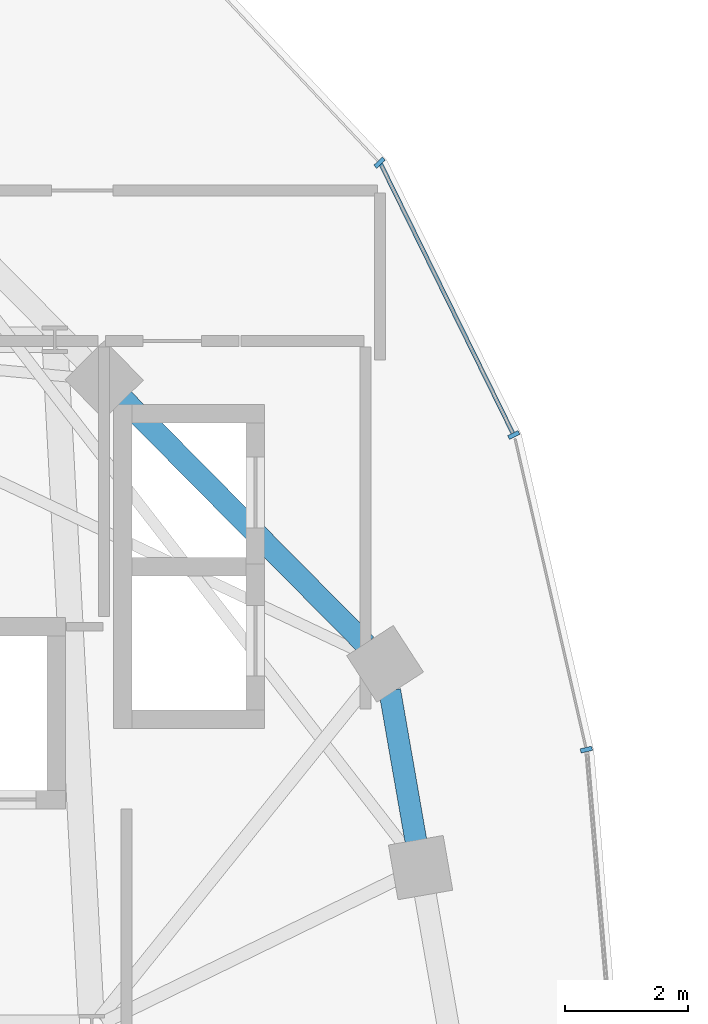
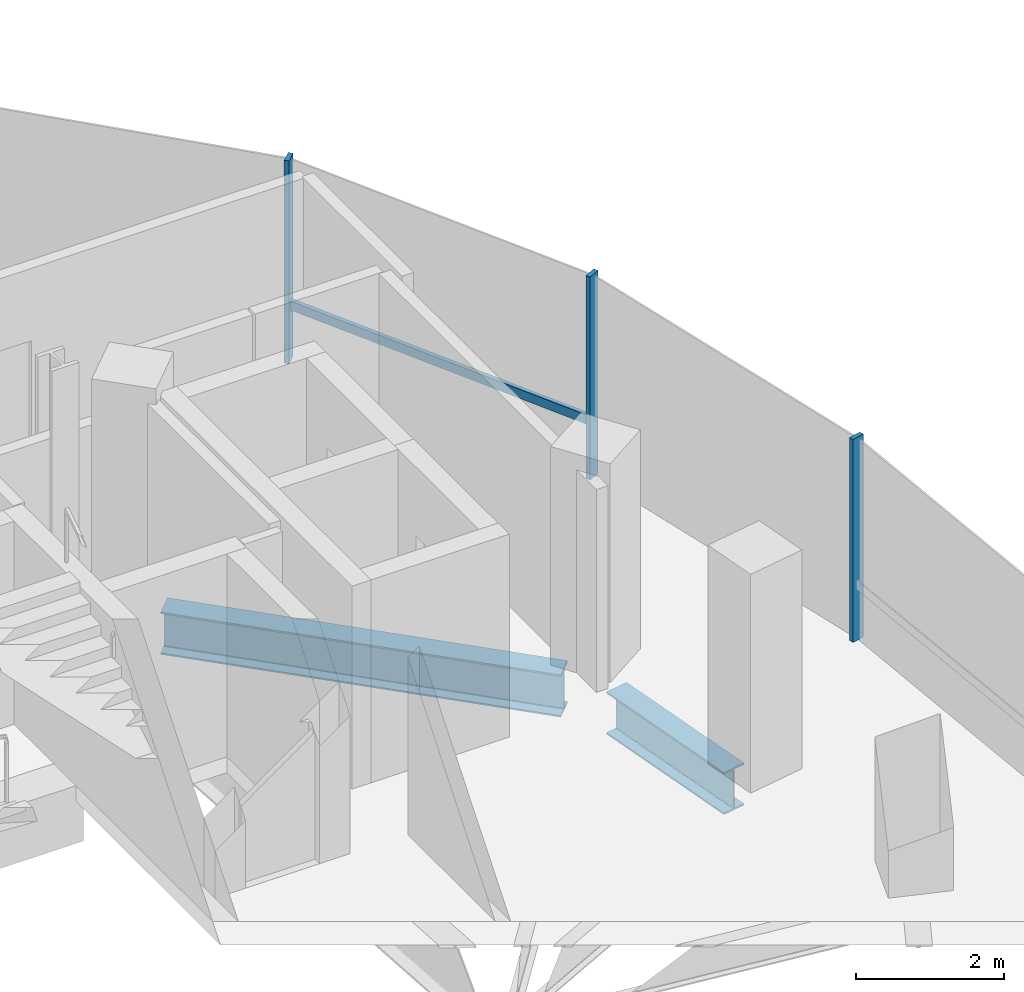
# One storey, part 7 of 25: 4 members, 2 beams, 1 element without a shape of its own.
"""IFC4 building model written with IfcOpenShell, lengths in metres."""

import ifcopenshell
import ifcopenshell.guid

model = None  # the IFC model being written
_history = None  # IfcOwnerHistory: only IFC2X3 demands one
_inside = {}  # id of a spatial element -> (the spatial element, [elements in it])
_under = {}  # id of a project, library or spatial element -> (it, [spatial elements below it])
_declared = {}  # id of a project -> (the project, [libraries it declares])
_typed = {}  # id of a type object -> (the type object, [elements of that type])
_made_of = {}  # id of a material, layer set ... -> (it, [elements and type objects made of it])


def new_model(schema):
    """Start an empty IFC model of exactly this schema.

    Asked for "IFC4X3", IfcOpenShell would pick the latest addendum, in which some entities
    have other attributes; the version numbers below select the first issue.
    IFC2X3 requires an IfcOwnerHistory on every rooted entity: one is made here for all.
    """
    global model, _history
    if schema == "IFC4X3":
        model = ifcopenshell.file(schema_version=(4, 3, 0, 0))
    else:
        model = ifcopenshell.file(schema=schema)
    _inside.clear()
    _under.clear()
    _declared.clear()
    _typed.clear()
    _made_of.clear()
    _history = None
    if model.schema == "IFC2X3":
        org = make("IfcOrganization", Name="unknown")
        user = make(
            "IfcPersonAndOrganization",
            ThePerson=make("IfcPerson", FamilyName="unknown"),
            TheOrganization=org,
        )
        app = make(
            "IfcApplication",
            ApplicationDeveloper=org,
            Version="unknown",
            ApplicationFullName="unknown",
            ApplicationIdentifier="unknown",
        )
        _history = make(
            "IfcOwnerHistory",
            OwningUser=user,
            OwningApplication=app,
            ChangeAction="ADDED",
            CreationDate=0,
        )
    return model


def make(cls, **values):
    """One entity of the class cls with the attributes given. An attribute that is None is left unset."""
    return model.create_entity(
        cls, **{name: value for name, value in values.items() if value is not None}
    )


def rooted(cls, **values):
    """An entity with a GlobalId (a new one), such as an element, a storey or a relation."""
    return make(cls, GlobalId=ifcopenshell.guid.new(), OwnerHistory=_history, **values)


def si_unit(unit_type, name, prefix=None):
    """IfcSIUnit, for example si_unit("LENGTHUNIT", "METRE", prefix="MILLI")."""
    return make("IfcSIUnit", UnitType=unit_type, Prefix=prefix, Name=name)


def assignment(units):
    """IfcUnitAssignment: the units of a project."""
    return None if units is None else make("IfcUnitAssignment", Units=units)


def point(xyz):
    """IfcCartesianPoint."""
    return None if xyz is None else make("IfcCartesianPoint", Coordinates=xyz)


def direction(xyz):
    """IfcDirection."""
    return None if xyz is None else make("IfcDirection", DirectionRatios=xyz)


def frame(location, z_axis=None, x_axis=None):
    """IfcAxis2Placement3D, a coordinate frame: its origin and axes. An axis left out is left unset."""
    return make(
        "IfcAxis2Placement3D",
        Location=point(location),
        Axis=direction(z_axis),
        RefDirection=direction(x_axis),
    )


def frame_2d(location, x_axis=None):
    """IfcAxis2Placement2D, a coordinate frame in the plane: its origin and x axis."""
    return make(
        "IfcAxis2Placement2D", Location=point(location), RefDirection=direction(x_axis)
    )


def origin():
    """The frame at (0, 0, 0) with its axes left unset."""
    return frame((0.0, 0.0, 0.0))


def origin_2d():
    """The frame at (0, 0) in the plane with its x axis left unset."""
    return frame_2d((0.0, 0.0))


def place(relative_to, where):
    """IfcLocalPlacement: puts the frame where relative to a parent placement (None: the world)."""
    return make(
        "IfcLocalPlacement", PlacementRelTo=relative_to, RelativePlacement=where
    )


def context(
    kind, dimensions, precision=None, world=None, true_north=None, identifier=None
):
    """IfcGeometricRepresentationContext, for example the 3D "Model" context."""
    return make(
        "IfcGeometricRepresentationContext",
        ContextIdentifier=identifier,
        ContextType=kind,
        CoordinateSpaceDimension=dimensions,
        Precision=precision,
        WorldCoordinateSystem=world,
        TrueNorth=true_north,
    )


def subcontext(parent, identifier, kind, view, scale=None):
    """IfcGeometricRepresentationSubContext, for example "Body" below "Model"."""
    return make(
        "IfcGeometricRepresentationSubContext",
        ContextIdentifier=identifier,
        ContextType=kind,
        ParentContext=parent,
        TargetScale=scale,
        TargetView=view,
    )


def project(units=None, contexts=None):
    """IfcProject with its units and contexts."""
    return rooted(
        "IfcProject",
        Name="project",
        RepresentationContexts=contexts,
        UnitsInContext=assignment(units),
    )


def spatial(cls, under=None, at=None, **own):
    """A site, building, storey or space (cls), placed at a placement, below another one or the project."""
    s = rooted(cls, ObjectPlacement=at, **own)
    if under is not None:
        _under.setdefault(under.id(), (under, []))[1].append(s)
    return s


def profile(cls, at=None, kind="AREA", **sizes):
    """A parametric profile (cls). Its sizes go by their IFC names, for example OverallWidth=200.0."""
    return make(cls, ProfileType=kind, Position=at, **sizes)


def rectangle(**sizes):
    """IfcRectangleProfileDef."""
    return profile("IfcRectangleProfileDef", **sizes)


def i_section(**sizes):
    """IfcIShapeProfileDef."""
    return profile("IfcIShapeProfileDef", **sizes)


def extrude(swept, where, along, depth):
    """IfcExtrudedAreaSolid: the profile swept, set in the frame where, extruded along a direction by depth."""
    return make(
        "IfcExtrudedAreaSolid",
        SweptArea=swept,
        Position=where,
        ExtrudedDirection=direction(along),
        Depth=depth,
    )


def shape(context_of_items, identifier, shape_type, items):
    """IfcShapeRepresentation: the items that make up one representation, for example the "Body"."""
    return make(
        "IfcShapeRepresentation",
        ContextOfItems=context_of_items,
        RepresentationIdentifier=identifier,
        RepresentationType=shape_type,
        Items=items,
    )


def material(Name=None, Category=None):
    """IfcMaterial."""
    return make("IfcMaterial", Name=Name, Category=Category)


def material_profile(
    of_material, cross_section, Name=None, Category=None, Priority=None
):
    """IfcMaterialProfile: a cross section and its material."""
    return make(
        "IfcMaterialProfile",
        Name=Name,
        Material=of_material,
        Profile=cross_section,
        Priority=Priority,
        Category=Category,
    )


def profile_set(profiles, Name=None, composite=None):
    """IfcMaterialProfileSet."""
    return make(
        "IfcMaterialProfileSet",
        Name=Name,
        MaterialProfiles=profiles,
        CompositeProfile=composite,
    )


def made_of(thing, what):
    """Note that an element or type object is made of a material, layer set ...; save() writes the relation."""
    if what is not None:
        _made_of.setdefault(what.id(), (what, []))[1].append(thing)
    return thing


def type_object(cls, material=None, **own):
    """A type object (cls), such as IfcWallType, which elements share."""
    return made_of(rooted(cls, **own), material)


def element(
    cls,
    number,
    at=None,
    inside=None,
    cuts=None,
    type_object=None,
    material=None,
    context=None,
    identifier="Body",
    shape_type=None,
    held_by="IfcProductDefinitionShape",
    body=None,
    shapes=None,
    **own,
):
    """One element of the class cls, such as IfcWall. Its Tag is "e" and its number.

    at: its placement. inside: the storey or other place that contains it. cuts: it is an
    opening in that element (IfcRelVoidsElement). A single representation is given by context,
    identifier, shape_type and body (its items); several are given by shapes. held_by: the class
    of the entity that holds the representations. save() writes the other relations.
    """
    e = rooted(cls, Tag="e%d" % number, ObjectPlacement=at, **own)
    if body is not None:
        shapes = [shape(context, identifier, shape_type, body)]
    if shapes is not None:
        e.Representation = make(held_by, Representations=shapes)
    if inside is not None:
        _inside.setdefault(inside.id(), (inside, []))[1].append(e)
    if cuts is not None:
        rooted(
            "IfcRelVoidsElement", RelatingBuildingElement=cuts, RelatedOpeningElement=e
        )
    if type_object is not None:
        _typed.setdefault(type_object.id(), (type_object, []))[1].append(e)
    return made_of(e, material)


def aggregate(whole, parts):
    """IfcRelAggregates: a whole, such as a stair, and the parts it consists of."""
    return rooted("IfcRelAggregates", RelatingObject=whole, RelatedObjects=parts)


def save(model, path):
    """Write the relations noted so far, then the file.

    IfcRelAggregates (storeys below a building ...), IfcRelContainedInSpatialStructure (elements
    in a storey), IfcRelDefinesByType, IfcRelAssociatesMaterial and IfcRelDeclares: one each for
    every whole, place, type object, material and project.
    """
    for whole, parts in _under.values():
        aggregate(whole, parts)
    for where, things in _inside.values():
        rooted(
            "IfcRelContainedInSpatialStructure",
            RelatedElements=things,
            RelatingStructure=where,
        )
    for kind, things in _typed.values():
        rooted("IfcRelDefinesByType", RelatedObjects=things, RelatingType=kind)
    for what, things in _made_of.values():
        rooted("IfcRelAssociatesMaterial", RelatedObjects=things, RelatingMaterial=what)
    for by, libraries in _declared.values():
        rooted("IfcRelDeclares", RelatingContext=by, RelatedDefinitions=libraries)
    model.write(path)


model = new_model("IFC4")

# Units and contexts
model_context = context("Model", 3, precision=1e-05, world=origin(), true_north=direction((0.0, 1.0)))
body_context = subcontext(model_context, "Body", "Model", "MODEL_VIEW")
ifc_project = project(units=[si_unit("LENGTHUNIT", "METRE"), si_unit("AREAUNIT", "SQUARE_METRE"), si_unit("VOLUMEUNIT", "CUBIC_METRE"), si_unit("PLANEANGLEUNIT", "RADIAN"), si_unit("MASSUNIT", "GRAM", prefix="KILO"), si_unit("THERMODYNAMICTEMPERATUREUNIT", "KELVIN"), si_unit("POWERUNIT", "WATT")], contexts=[model_context])

# Site, building, storey
site_placement = place(None, origin())
site = spatial("IfcSite", under=ifc_project, at=site_placement, CompositionType="ELEMENT")
building_placement = place(site_placement, origin())
building = spatial("IfcBuilding", under=site, at=building_placement, Name="Cundina Bronze Exchange", CompositionType="ELEMENT")
storey_placement = place(building_placement, frame((0.0, 0.0, 195.39990234375)))
storey = spatial("IfcBuildingStorey", under=building, at=storey_placement, Name="L51", CompositionType="ELEMENT", Elevation=195.39990234375)

# Beams
ifc_material_1 = material(Name="Steel ASTM A992 Grade 50", Category="steel")
ifc_material_profile_1 = material_profile(ifc_material_1, i_section(OverallWidth=0.35498046875, OverallDepth=0.695068359375, WebThickness=0.015380859375, FlangeThickness=0.02490234375, FilletRadius=0.01806640625, at=origin_2d()), Name="W27X146", Category="steel")
ifc_profile_set_1 = profile_set([ifc_material_profile_1], Name="Steel ASTM A992 Grade 50")
beam_type = type_object("IfcBeamType", Name="BM-RING-W27", PredefinedType="USERDEFINED", material=ifc_profile_set_1)
beam_1_placement = place(storey_placement, frame((-16.2001953125, 6.931396484375, -0.607421875), z_axis=(-0.171628556628, 0.985161732179, 0.0), x_axis=(-0.985161732179, -0.171628556628, 0.0)))
element("IfcBeam", 1, at=beam_1_placement, inside=storey, type_object=beam_type, Name="L51 W Perimeter Ring Girder 01", ObjectType="GIRDER", PredefinedType="USERDEFINED", context=body_context, shape_type="SweptSolid", body=[
    extrude(i_section(OverallWidth=0.35498046875, OverallDepth=0.695068359375, WebThickness=0.015380859375, FlangeThickness=0.02490234375, FilletRadius=0.01806640625, at=origin_2d()), origin(), (0.0, 0.0, 1.0), 2.4736328125),
])
beam_2_placement = place(storey_placement, frame((-17.008056640625, 10.111328125, -0.607421875), z_axis=(-0.703211928763, 0.710980297368, 0.0), x_axis=(-0.710980297368, -0.703211928763, 0.0)))
element("IfcBeam", 2, at=beam_2_placement, inside=storey, type_object=beam_type, Name="L51 W Perimeter Ring Girder 02", ObjectType="GIRDER", PredefinedType="USERDEFINED", context=body_context, shape_type="SweptSolid", body=[
    extrude(i_section(OverallWidth=0.35498046875, OverallDepth=0.695068359375, WebThickness=0.015380859375, FlangeThickness=0.02490234375, FilletRadius=0.01806640625, at=origin_2d()), origin(), (0.0, 0.0, 1.0), 5.593994140625),
])

# Curtain wall, members
ifc_material_2 = material(Name="Anodised Bronze Aluminium 6063-T6", Category="aluminium")
curtain_wall_type = type_object("IfcCurtainWallType", Name="CWS-UPP-OFF", PredefinedType="NOTDEFINED", material=ifc_material_2)
curtain_wall_placement = place(storey_placement, origin())
curtain_wall = element("IfcCurtainWall", 3, at=curtain_wall_placement, inside=storey, type_object=curtain_wall_type, Name="L51 CW-05 Curtain Wall Run CWR-L51-W1", PredefinedType="NOTDEFINED")
ifc_material_profile_2 = material_profile(ifc_material_2, rectangle(XDim=0.070068359375, YDim=0.18994140625, at=origin_2d()), Name="AL70X190", Category="aluminium")
ifc_profile_set_2 = profile_set([ifc_material_profile_2], Name="Anodised Bronze Aluminium 6063-T6")
member_type_1 = type_object("IfcMemberType", Name="CWM-MUL-190", PredefinedType="MULLION", material=ifc_profile_set_2)
member_1_placement = place(storey_placement, frame((-13.43994140625, 8.4111328125, 0.0), z_axis=(0.0, 0.0, 1.0), x_axis=(-0.223250116011, 0.974761194191, 0.0)))
member_1 = element("IfcMember", 4, at=member_1_placement, type_object=member_type_1, Name="CW-05 Mullion 2", PredefinedType="MULLION", context=body_context, shape_type="SweptSolid", body=[
    extrude(rectangle(XDim=0.070068359375, YDim=0.18994140625, at=origin_2d()), origin(), (0.0, 0.0, 1.0), 3.340087890625),
])
member_2_placement = place(storey_placement, frame((-14.61572265625, 13.50732421875, 0.0), z_axis=(0.0, 0.0, 1.0), x_axis=(-0.440566004113, 0.897720221461, 0.0)))
member_2 = element("IfcMember", 5, at=member_2_placement, type_object=member_type_1, Name="CW-05 Mullion 3", PredefinedType="MULLION", context=body_context, shape_type="SweptSolid", body=[
    extrude(rectangle(XDim=0.070068359375, YDim=0.18994140625, at=origin_2d()), origin(), (0.0, 0.0, 1.0), 3.340087890625),
])
member_3_placement = place(storey_placement, frame((-16.790283203125, 17.91796875, 0.0), z_axis=(0.0, 0.0, 1.0), x_axis=(-0.684292606175, 0.729207535023, 0.0)))
member_3 = element("IfcMember", 6, at=member_3_placement, type_object=member_type_1, Name="CW-05 Mullion 4", PredefinedType="MULLION", context=body_context, shape_type="SweptSolid", body=[
    extrude(rectangle(XDim=0.070068359375, YDim=0.18994140625, at=origin_2d()), origin(), (0.0, 0.0, 1.0), 3.340087890625),
])
ifc_material_profile_3 = material_profile(ifc_material_2, rectangle(XDim=0.06494140625, YDim=0.14990234375, at=origin_2d()), Name="AL65X150", Category="aluminium")
ifc_profile_set_3 = profile_set([ifc_material_profile_3], Name="Anodised Bronze Aluminium 6063-T6")
member_type_2 = type_object("IfcMemberType", Name="CWM-TRN-150", PredefinedType="USERDEFINED", material=ifc_profile_set_3)
member_4_placement = place(storey_placement, frame((-14.6328125, 13.5419921875, 0.920166015625), z_axis=(-0.440483110889, 0.897760897467, 0.0), x_axis=(-0.897760897467, -0.440483110889, 0.0)))
member_4 = element("IfcMember", 7, at=member_4_placement, type_object=member_type_2, Name="CW-05 Spandrel Transom 3", ObjectType="TRANSOM", PredefinedType="USERDEFINED", context=body_context, shape_type="SweptSolid", body=[
    extrude(rectangle(XDim=0.06494140625, YDim=0.14990234375, at=origin_2d()), origin(), (0.0, 0.0, 1.0), 4.855224609375),
])
aggregate(curtain_wall, [member_1, member_2, member_4, member_3])

save(model, "model.ifc")
